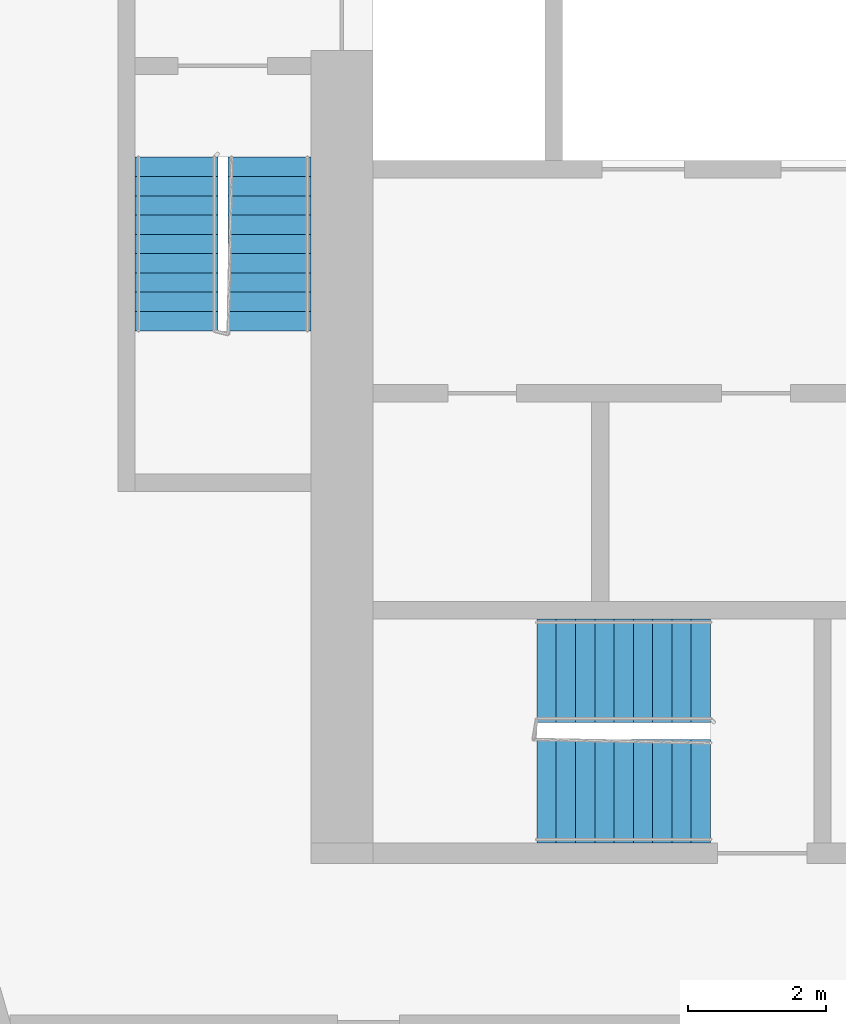
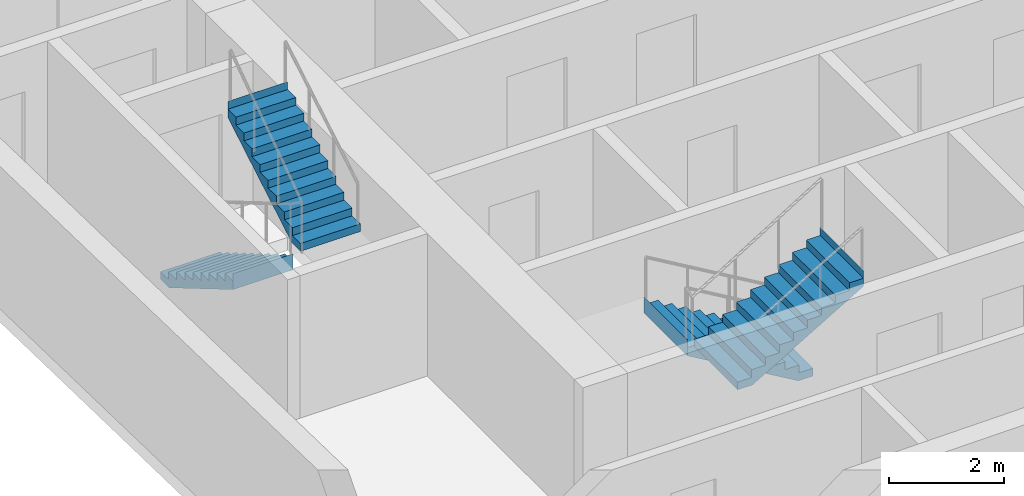
# One storey, part 8 of 11: 4 stair flights, 2 elements without a shape of their own.
"""IFC4 building model written with IfcOpenShell, lengths in metres."""

from ifc_helpers import new_model, si_unit, direction, frame, origin, place, context, subcontext, project, spatial, faceted_brep, material, type_object, element, aggregate, save


model = new_model("IFC4")

# Units and contexts
model_context = context("Model", 3, precision=1e-05, world=origin(), true_north=direction((0.0, 1.0)))
body_context = subcontext(model_context, "Body", "Model", "MODEL_VIEW")
ifc_project = project(units=[si_unit("LENGTHUNIT", "METRE"), si_unit("AREAUNIT", "SQUARE_METRE"), si_unit("VOLUMEUNIT", "CUBIC_METRE"), si_unit("PLANEANGLEUNIT", "RADIAN"), si_unit("MASSUNIT", "GRAM", prefix="KILO")], contexts=[model_context])

# Site, building, storey
site_placement = place(None, origin())
site = spatial("IfcSite", under=ifc_project, at=site_placement, CompositionType="ELEMENT")
building_placement = place(site_placement, origin())
building = spatial("IfcBuilding", under=site, at=building_placement, Name="Kajstack Hotel Tower", CompositionType="ELEMENT")
storey_placement = place(building_placement, frame((0.0, 0.0, 244.10009765625)))
storey = spatial("IfcBuildingStorey", under=building, at=storey_placement, Name="L60", CompositionType="ELEMENT", Elevation=244.10009765625)

# Stair, stair flights
ifc_material = material(Name="Concrete C40/50", Category="concrete")
stair_type_1 = type_object("IfcStairType", Name="Exit stair 1200", PredefinedType="HALF_TURN_STAIR", material=ifc_material)
stair_1_placement = place(storey_placement, origin())
stair_1 = element("IfcStair", 1, at=stair_1_placement, inside=storey, type_object=stair_type_1, Name="L60 stair W1", PredefinedType="HALF_TURN_STAIR")
stair_flight_type_1 = type_object("IfcStairFlightType", Name="Exit stair flight 1200", PredefinedType="STRAIGHT", material=ifc_material)
stair_flight_1_placement = place(storey_placement, frame((-33.449951171875, -5.25, 0.0), z_axis=(0.0, 0.0, 1.0), x_axis=(0.0, -1.0, 0.0)))
stair_flight_1 = element("IfcStairFlight", 2, at=stair_flight_1_placement, type_object=stair_flight_type_1, Name="W1 flight 1", NumberOfRisers=10, NumberOfTreads=9, PredefinedType="STRAIGHT", RiserHeight=0.165, TreadLength=0.28, context=body_context, shape_type="Brep", body=[
    faceted_brep([(0.295654296875, -0.60009765625, 0.0), (2.5205078125, -0.60009765625, 1.31103515625), (2.5205078125, -0.60009765625, 1.64990234375), (2.52001953125, -0.60009765625, 1.64990234375), (2.52001953125, -0.60009765625, 1.485107421875), (2.239990234375, -0.60009765625, 1.485107421875), (2.239990234375, -0.60009765625, 1.320068359375), (1.9599609375, -0.60009765625, 1.320068359375), (1.9599609375, -0.60009765625, 1.155029296875), (1.679931640625, -0.60009765625, 1.155029296875), (1.679931640625, -0.60009765625, 0.989990234375), (1.39990234375, -0.60009765625, 0.989990234375), (1.39990234375, -0.60009765625, 0.824951171875), (1.1201171875, -0.60009765625, 0.824951171875), (1.1201171875, -0.60009765625, 0.659912109375), (0.840087890625, -0.60009765625, 0.659912109375), (0.840087890625, -0.60009765625, 0.4951171875), (0.56005859375, -0.60009765625, 0.4951171875), (0.56005859375, -0.60009765625, 0.330078125), (0.280029296875, -0.60009765625, 0.330078125), (0.280029296875, -0.60009765625, 0.1650390625), (-0.00048828125, -0.60009765625, 0.1650390625), (-0.00048828125, -0.60009765625, 0.0), (-0.00048828125, 0.60009765625, 0.0), (-0.00048828125, 0.60009765625, 0.1650390625), (0.280029296875, 0.60009765625, 0.1650390625), (0.280029296875, 0.60009765625, 0.330078125), (0.56005859375, 0.60009765625, 0.330078125), (0.56005859375, 0.60009765625, 0.4951171875), (0.840087890625, 0.60009765625, 0.4951171875), (0.840087890625, 0.60009765625, 0.659912109375), (1.1201171875, 0.60009765625, 0.659912109375), (1.1201171875, 0.60009765625, 0.824951171875), (1.39990234375, 0.60009765625, 0.824951171875), (1.39990234375, 0.60009765625, 0.989990234375), (1.679931640625, 0.60009765625, 0.989990234375), (1.679931640625, 0.60009765625, 1.155029296875), (1.9599609375, 0.60009765625, 1.155029296875), (1.9599609375, 0.60009765625, 1.320068359375), (2.239990234375, 0.60009765625, 1.320068359375), (2.239990234375, 0.60009765625, 1.485107421875), (2.52001953125, 0.60009765625, 1.485107421875), (2.52001953125, 0.60009765625, 1.64990234375), (2.5205078125, 0.60009765625, 1.64990234375), (2.5205078125, 0.60009765625, 1.31103515625), (0.295654296875, 0.60009765625, 0.0), (-0.00048828125, -0.300048828125, 0.1650390625), (-0.00048828125, 0.0, 0.1650390625), (-0.00048828125, 0.300048828125, 0.1650390625), (-0.00048828125, 0.300048828125, 0.0), (-0.00048828125, 0.0, 0.0), (-0.00048828125, -0.300048828125, 0.0), (0.280029296875, -0.300048828125, 0.1650390625), (0.280029296875, 0.0, 0.1650390625), (0.280029296875, 0.300048828125, 0.1650390625), (0.280029296875, -0.300048828125, 0.330078125), (0.280029296875, 0.0, 0.330078125), (0.280029296875, 0.300048828125, 0.330078125), (0.56005859375, -0.300048828125, 0.330078125), (0.56005859375, 0.0, 0.330078125), (0.56005859375, 0.300048828125, 0.330078125), (0.56005859375, -0.300048828125, 0.4951171875), (0.56005859375, 0.0, 0.4951171875), (0.56005859375, 0.300048828125, 0.4951171875), (0.840087890625, -0.300048828125, 0.4951171875), (0.840087890625, 0.0, 0.4951171875), (0.840087890625, 0.300048828125, 0.4951171875), (0.840087890625, -0.300048828125, 0.659912109375), (0.840087890625, 0.0, 0.659912109375), (0.840087890625, 0.300048828125, 0.659912109375), (1.1201171875, -0.300048828125, 0.659912109375), (1.1201171875, 0.0, 0.659912109375), (1.1201171875, 0.300048828125, 0.659912109375), (1.1201171875, -0.300048828125, 0.824951171875), (1.1201171875, 0.0, 0.824951171875), (1.1201171875, 0.300048828125, 0.824951171875), (1.39990234375, -0.300048828125, 0.824951171875), (1.39990234375, 0.0, 0.824951171875), (1.39990234375, 0.300048828125, 0.824951171875), (1.39990234375, -0.300048828125, 0.989990234375), (1.39990234375, 0.0, 0.989990234375), (1.39990234375, 0.300048828125, 0.989990234375), (1.679931640625, -0.300048828125, 0.989990234375), (1.679931640625, 0.0, 0.989990234375), (1.679931640625, 0.300048828125, 0.989990234375), (1.679931640625, -0.300048828125, 1.155029296875), (1.679931640625, 0.0, 1.155029296875), (1.679931640625, 0.300048828125, 1.155029296875), (1.9599609375, -0.300048828125, 1.155029296875), (1.9599609375, 0.0, 1.155029296875), (1.9599609375, 0.300048828125, 1.155029296875), (1.9599609375, -0.300048828125, 1.320068359375), (1.9599609375, 0.0, 1.320068359375), (1.9599609375, 0.300048828125, 1.320068359375), (2.239990234375, -0.300048828125, 1.320068359375), (2.239990234375, 0.0, 1.320068359375), (2.239990234375, 0.300048828125, 1.320068359375), (2.239990234375, -0.300048828125, 1.485107421875), (2.239990234375, 0.0, 1.485107421875), (2.239990234375, 0.300048828125, 1.485107421875), (2.52001953125, -0.300048828125, 1.485107421875), (2.52001953125, 0.0, 1.485107421875), (2.52001953125, 0.300048828125, 1.485107421875), (2.52001953125, -0.300048828125, 1.64990234375), (2.52001953125, 0.0, 1.64990234375), (2.52001953125, 0.300048828125, 1.64990234375), (2.5205078125, -0.300048828125, 1.64990234375), (2.5205078125, 0.0, 1.64990234375), (2.5205078125, 0.300048828125, 1.64990234375), (2.5205078125, -0.300048828125, 1.31103515625), (2.5205078125, 0.0, 1.31103515625), (2.5205078125, 0.300048828125, 1.31103515625), (0.295654296875, -0.300048828125, 0.0), (0.295654296875, 0.0, 0.0), (0.295654296875, 0.300048828125, 0.0)], [[[0, 1, 2, 3, 4, 5, 6, 7, 8, 9, 10, 11, 12, 13, 14, 15, 16, 17, 18, 19, 20, 21, 22]], [[23, 24, 25, 26, 27, 28, 29, 30, 31, 32, 33, 34, 35, 36, 37, 38, 39, 40, 41, 42, 43, 44, 45]], [[21, 46, 47, 48, 24, 23, 49, 50, 51, 22]], [[20, 52, 53, 54, 25, 24, 48, 47, 46, 21]], [[19, 55, 56, 57, 26, 25, 54, 53, 52, 20]], [[18, 58, 59, 60, 27, 26, 57, 56, 55, 19]], [[17, 61, 62, 63, 28, 27, 60, 59, 58, 18]], [[16, 64, 65, 66, 29, 28, 63, 62, 61, 17]], [[15, 67, 68, 69, 30, 29, 66, 65, 64, 16]], [[14, 70, 71, 72, 31, 30, 69, 68, 67, 15]], [[13, 73, 74, 75, 32, 31, 72, 71, 70, 14]], [[12, 76, 77, 78, 33, 32, 75, 74, 73, 13]], [[11, 79, 80, 81, 34, 33, 78, 77, 76, 12]], [[10, 82, 83, 84, 35, 34, 81, 80, 79, 11]], [[9, 85, 86, 87, 36, 35, 84, 83, 82, 10]], [[8, 88, 89, 90, 37, 36, 87, 86, 85, 9]], [[7, 91, 92, 93, 38, 37, 90, 89, 88, 8]], [[6, 94, 95, 96, 39, 38, 93, 92, 91, 7]], [[5, 97, 98, 99, 40, 39, 96, 95, 94, 6]], [[4, 100, 101, 102, 41, 40, 99, 98, 97, 5]], [[3, 103, 104, 105, 42, 41, 102, 101, 100, 4]], [[2, 106, 107, 108, 43, 42, 105, 104, 103, 3]], [[1, 109, 110, 111, 44, 43, 108, 107, 106, 2]], [[0, 112, 113, 114, 45, 44, 111, 110, 109, 1]], [[22, 51, 50, 49, 23, 45, 114, 113, 112, 0]]]),
])
stair_flight_2_placement = place(storey_placement, frame((-32.10009765625, -7.77001953125, 1.64990234375), z_axis=(0.0, 0.0, 1.0), x_axis=(0.0, 1.0, 0.0)))
stair_flight_2 = element("IfcStairFlight", 3, at=stair_flight_2_placement, type_object=stair_flight_type_1, Name="W1 flight 2", NumberOfRisers=10, NumberOfTreads=9, PredefinedType="STRAIGHT", RiserHeight=0.165, TreadLength=0.28, context=body_context, shape_type="Brep", body=[
    faceted_brep([(0.295654296875, -0.60009765625, 0.0), (2.5205078125, -0.60009765625, 1.31103515625), (2.5205078125, -0.60009765625, 1.64990234375), (2.52001953125, -0.60009765625, 1.64990234375), (2.52001953125, -0.60009765625, 1.485107421875), (2.239990234375, -0.60009765625, 1.485107421875), (2.239990234375, -0.60009765625, 1.320068359375), (1.9599609375, -0.60009765625, 1.320068359375), (1.9599609375, -0.60009765625, 1.155029296875), (1.679931640625, -0.60009765625, 1.155029296875), (1.679931640625, -0.60009765625, 0.989990234375), (1.39990234375, -0.60009765625, 0.989990234375), (1.39990234375, -0.60009765625, 0.824951171875), (1.1201171875, -0.60009765625, 0.824951171875), (1.1201171875, -0.60009765625, 0.659912109375), (0.840087890625, -0.60009765625, 0.659912109375), (0.840087890625, -0.60009765625, 0.4951171875), (0.56005859375, -0.60009765625, 0.4951171875), (0.56005859375, -0.60009765625, 0.330078125), (0.280029296875, -0.60009765625, 0.330078125), (0.280029296875, -0.60009765625, 0.1650390625), (-0.00048828125, -0.60009765625, 0.1650390625), (-0.00048828125, -0.60009765625, 0.0), (-0.00048828125, 0.60009765625, 0.0), (-0.00048828125, 0.60009765625, 0.1650390625), (0.280029296875, 0.60009765625, 0.1650390625), (0.280029296875, 0.60009765625, 0.330078125), (0.56005859375, 0.60009765625, 0.330078125), (0.56005859375, 0.60009765625, 0.4951171875), (0.840087890625, 0.60009765625, 0.4951171875), (0.840087890625, 0.60009765625, 0.659912109375), (1.1201171875, 0.60009765625, 0.659912109375), (1.1201171875, 0.60009765625, 0.824951171875), (1.39990234375, 0.60009765625, 0.824951171875), (1.39990234375, 0.60009765625, 0.989990234375), (1.679931640625, 0.60009765625, 0.989990234375), (1.679931640625, 0.60009765625, 1.155029296875), (1.9599609375, 0.60009765625, 1.155029296875), (1.9599609375, 0.60009765625, 1.320068359375), (2.239990234375, 0.60009765625, 1.320068359375), (2.239990234375, 0.60009765625, 1.485107421875), (2.52001953125, 0.60009765625, 1.485107421875), (2.52001953125, 0.60009765625, 1.64990234375), (2.5205078125, 0.60009765625, 1.64990234375), (2.5205078125, 0.60009765625, 1.31103515625), (0.295654296875, 0.60009765625, 0.0), (-0.00048828125, -0.300048828125, 0.1650390625), (-0.00048828125, 0.0, 0.1650390625), (-0.00048828125, 0.300048828125, 0.1650390625), (-0.00048828125, 0.300048828125, 0.0), (-0.00048828125, 0.0, 0.0), (-0.00048828125, -0.300048828125, 0.0), (0.280029296875, -0.300048828125, 0.1650390625), (0.280029296875, 0.0, 0.1650390625), (0.280029296875, 0.300048828125, 0.1650390625), (0.280029296875, -0.300048828125, 0.330078125), (0.280029296875, 0.0, 0.330078125), (0.280029296875, 0.300048828125, 0.330078125), (0.56005859375, -0.300048828125, 0.330078125), (0.56005859375, 0.0, 0.330078125), (0.56005859375, 0.300048828125, 0.330078125), (0.56005859375, -0.300048828125, 0.4951171875), (0.56005859375, 0.0, 0.4951171875), (0.56005859375, 0.300048828125, 0.4951171875), (0.840087890625, -0.300048828125, 0.4951171875), (0.840087890625, 0.0, 0.4951171875), (0.840087890625, 0.300048828125, 0.4951171875), (0.840087890625, -0.300048828125, 0.659912109375), (0.840087890625, 0.0, 0.659912109375), (0.840087890625, 0.300048828125, 0.659912109375), (1.1201171875, -0.300048828125, 0.659912109375), (1.1201171875, 0.0, 0.659912109375), (1.1201171875, 0.300048828125, 0.659912109375), (1.1201171875, -0.300048828125, 0.824951171875), (1.1201171875, 0.0, 0.824951171875), (1.1201171875, 0.300048828125, 0.824951171875), (1.39990234375, -0.300048828125, 0.824951171875), (1.39990234375, 0.0, 0.824951171875), (1.39990234375, 0.300048828125, 0.824951171875), (1.39990234375, -0.300048828125, 0.989990234375), (1.39990234375, 0.0, 0.989990234375), (1.39990234375, 0.300048828125, 0.989990234375), (1.679931640625, -0.300048828125, 0.989990234375), (1.679931640625, 0.0, 0.989990234375), (1.679931640625, 0.300048828125, 0.989990234375), (1.679931640625, -0.300048828125, 1.155029296875), (1.679931640625, 0.0, 1.155029296875), (1.679931640625, 0.300048828125, 1.155029296875), (1.9599609375, -0.300048828125, 1.155029296875), (1.9599609375, 0.0, 1.155029296875), (1.9599609375, 0.300048828125, 1.155029296875), (1.9599609375, -0.300048828125, 1.320068359375), (1.9599609375, 0.0, 1.320068359375), (1.9599609375, 0.300048828125, 1.320068359375), (2.239990234375, -0.300048828125, 1.320068359375), (2.239990234375, 0.0, 1.320068359375), (2.239990234375, 0.300048828125, 1.320068359375), (2.239990234375, -0.300048828125, 1.485107421875), (2.239990234375, 0.0, 1.485107421875), (2.239990234375, 0.300048828125, 1.485107421875), (2.52001953125, -0.300048828125, 1.485107421875), (2.52001953125, 0.0, 1.485107421875), (2.52001953125, 0.300048828125, 1.485107421875), (2.52001953125, -0.300048828125, 1.64990234375), (2.52001953125, 0.0, 1.64990234375), (2.52001953125, 0.300048828125, 1.64990234375), (2.5205078125, -0.300048828125, 1.64990234375), (2.5205078125, 0.0, 1.64990234375), (2.5205078125, 0.300048828125, 1.64990234375), (2.5205078125, -0.300048828125, 1.31103515625), (2.5205078125, 0.0, 1.31103515625), (2.5205078125, 0.300048828125, 1.31103515625), (0.295654296875, -0.300048828125, 0.0), (0.295654296875, 0.0, 0.0), (0.295654296875, 0.300048828125, 0.0)], [[[0, 1, 2, 3, 4, 5, 6, 7, 8, 9, 10, 11, 12, 13, 14, 15, 16, 17, 18, 19, 20, 21, 22]], [[23, 24, 25, 26, 27, 28, 29, 30, 31, 32, 33, 34, 35, 36, 37, 38, 39, 40, 41, 42, 43, 44, 45]], [[21, 46, 47, 48, 24, 23, 49, 50, 51, 22]], [[20, 52, 53, 54, 25, 24, 48, 47, 46, 21]], [[19, 55, 56, 57, 26, 25, 54, 53, 52, 20]], [[18, 58, 59, 60, 27, 26, 57, 56, 55, 19]], [[17, 61, 62, 63, 28, 27, 60, 59, 58, 18]], [[16, 64, 65, 66, 29, 28, 63, 62, 61, 17]], [[15, 67, 68, 69, 30, 29, 66, 65, 64, 16]], [[14, 70, 71, 72, 31, 30, 69, 68, 67, 15]], [[13, 73, 74, 75, 32, 31, 72, 71, 70, 14]], [[12, 76, 77, 78, 33, 32, 75, 74, 73, 13]], [[11, 79, 80, 81, 34, 33, 78, 77, 76, 12]], [[10, 82, 83, 84, 35, 34, 81, 80, 79, 11]], [[9, 85, 86, 87, 36, 35, 84, 83, 82, 10]], [[8, 88, 89, 90, 37, 36, 87, 86, 85, 9]], [[7, 91, 92, 93, 38, 37, 90, 89, 88, 8]], [[6, 94, 95, 96, 39, 38, 93, 92, 91, 7]], [[5, 97, 98, 99, 40, 39, 96, 95, 94, 6]], [[4, 100, 101, 102, 41, 40, 99, 98, 97, 5]], [[3, 103, 104, 105, 42, 41, 102, 101, 100, 4]], [[2, 106, 107, 108, 43, 42, 105, 104, 103, 3]], [[1, 109, 110, 111, 44, 43, 108, 107, 106, 2]], [[0, 112, 113, 114, 45, 44, 111, 110, 109, 1]], [[22, 51, 50, 49, 23, 45, 114, 113, 112, 0]]]),
])
aggregate(stair_1, [stair_flight_1, stair_flight_2])

stair_type_2 = type_object("IfcStairType", Name="Exit stair 1500", PredefinedType="HALF_TURN_STAIR", material=ifc_material)
stair_2_placement = place(storey_placement, origin())
stair_2 = element("IfcStair", 4, at=stair_2_placement, inside=storey, type_object=stair_type_2, Name="L60 stair W3", PredefinedType="HALF_TURN_STAIR")
stair_flight_type_2 = type_object("IfcStairFlightType", Name="Exit stair flight 1500", PredefinedType="STRAIGHT", material=ifc_material)
stair_flight_3_placement = place(storey_placement, frame((-25.699951171875, -12.699951171875, 0.0), z_axis=(0.0, 0.0, 1.0), x_axis=(-1.0, 0.0, 0.0)))
stair_flight_3 = element("IfcStairFlight", 5, at=stair_flight_3_placement, type_object=stair_flight_type_2, Name="W3 flight 1", NumberOfRisers=10, NumberOfTreads=9, PredefinedType="STRAIGHT", RiserHeight=0.165, TreadLength=0.28, context=body_context, shape_type="Brep", body=[
    faceted_brep([(0.295654296875, -0.75, 0.0), (2.5205078125, -0.75, 1.31103515625), (2.5205078125, -0.75, 1.64990234375), (2.52001953125, -0.75, 1.64990234375), (2.52001953125, -0.75, 1.485107421875), (2.239990234375, -0.75, 1.485107421875), (2.239990234375, -0.75, 1.320068359375), (1.9599609375, -0.75, 1.320068359375), (1.9599609375, -0.75, 1.155029296875), (1.679931640625, -0.75, 1.155029296875), (1.679931640625, -0.75, 0.989990234375), (1.39990234375, -0.75, 0.989990234375), (1.39990234375, -0.75, 0.824951171875), (1.1201171875, -0.75, 0.824951171875), (1.1201171875, -0.75, 0.659912109375), (0.840087890625, -0.75, 0.659912109375), (0.840087890625, -0.75, 0.4951171875), (0.56005859375, -0.75, 0.4951171875), (0.56005859375, -0.75, 0.330078125), (0.280029296875, -0.75, 0.330078125), (0.280029296875, -0.75, 0.1650390625), (-0.00048828125, -0.75, 0.1650390625), (-0.00048828125, -0.75, 0.0), (-0.00048828125, 0.75, 0.0), (-0.00048828125, 0.75, 0.1650390625), (0.280029296875, 0.75, 0.1650390625), (0.280029296875, 0.75, 0.330078125), (0.56005859375, 0.75, 0.330078125), (0.56005859375, 0.75, 0.4951171875), (0.840087890625, 0.75, 0.4951171875), (0.840087890625, 0.75, 0.659912109375), (1.1201171875, 0.75, 0.659912109375), (1.1201171875, 0.75, 0.824951171875), (1.39990234375, 0.75, 0.824951171875), (1.39990234375, 0.75, 0.989990234375), (1.679931640625, 0.75, 0.989990234375), (1.679931640625, 0.75, 1.155029296875), (1.9599609375, 0.75, 1.155029296875), (1.9599609375, 0.75, 1.320068359375), (2.239990234375, 0.75, 1.320068359375), (2.239990234375, 0.75, 1.485107421875), (2.52001953125, 0.75, 1.485107421875), (2.52001953125, 0.75, 1.64990234375), (2.5205078125, 0.75, 1.64990234375), (2.5205078125, 0.75, 1.31103515625), (0.295654296875, 0.75, 0.0), (-0.00048828125, -0.375, 0.1650390625), (-0.00048828125, 0.0, 0.1650390625), (-0.00048828125, 0.375, 0.1650390625), (-0.00048828125, 0.375, 0.0), (-0.00048828125, 0.0, 0.0), (-0.00048828125, -0.375, 0.0), (0.280029296875, -0.375, 0.1650390625), (0.280029296875, 0.0, 0.1650390625), (0.280029296875, 0.375, 0.1650390625), (0.280029296875, -0.375, 0.330078125), (0.280029296875, 0.0, 0.330078125), (0.280029296875, 0.375, 0.330078125), (0.56005859375, -0.375, 0.330078125), (0.56005859375, 0.0, 0.330078125), (0.56005859375, 0.375, 0.330078125), (0.56005859375, -0.375, 0.4951171875), (0.56005859375, 0.0, 0.4951171875), (0.56005859375, 0.375, 0.4951171875), (0.840087890625, -0.375, 0.4951171875), (0.840087890625, 0.0, 0.4951171875), (0.840087890625, 0.375, 0.4951171875), (0.840087890625, -0.375, 0.659912109375), (0.840087890625, 0.0, 0.659912109375), (0.840087890625, 0.375, 0.659912109375), (1.1201171875, -0.375, 0.659912109375), (1.1201171875, 0.0, 0.659912109375), (1.1201171875, 0.375, 0.659912109375), (1.1201171875, -0.375, 0.824951171875), (1.1201171875, 0.0, 0.824951171875), (1.1201171875, 0.375, 0.824951171875), (1.39990234375, -0.375, 0.824951171875), (1.39990234375, 0.0, 0.824951171875), (1.39990234375, 0.375, 0.824951171875), (1.39990234375, -0.375, 0.989990234375), (1.39990234375, 0.0, 0.989990234375), (1.39990234375, 0.375, 0.989990234375), (1.679931640625, -0.375, 0.989990234375), (1.679931640625, 0.0, 0.989990234375), (1.679931640625, 0.375, 0.989990234375), (1.679931640625, -0.375, 1.155029296875), (1.679931640625, 0.0, 1.155029296875), (1.679931640625, 0.375, 1.155029296875), (1.9599609375, -0.375, 1.155029296875), (1.9599609375, 0.0, 1.155029296875), (1.9599609375, 0.375, 1.155029296875), (1.9599609375, -0.375, 1.320068359375), (1.9599609375, 0.0, 1.320068359375), (1.9599609375, 0.375, 1.320068359375), (2.239990234375, -0.375, 1.320068359375), (2.239990234375, 0.0, 1.320068359375), (2.239990234375, 0.375, 1.320068359375), (2.239990234375, -0.375, 1.485107421875), (2.239990234375, 0.0, 1.485107421875), (2.239990234375, 0.375, 1.485107421875), (2.52001953125, -0.375, 1.485107421875), (2.52001953125, 0.0, 1.485107421875), (2.52001953125, 0.375, 1.485107421875), (2.52001953125, -0.375, 1.64990234375), (2.52001953125, 0.0, 1.64990234375), (2.52001953125, 0.375, 1.64990234375), (2.5205078125, -0.375, 1.64990234375), (2.5205078125, 0.0, 1.64990234375), (2.5205078125, 0.375, 1.64990234375), (2.5205078125, -0.375, 1.31103515625), (2.5205078125, 0.0, 1.31103515625), (2.5205078125, 0.375, 1.31103515625), (0.295654296875, -0.375, 0.0), (0.295654296875, 0.0, 0.0), (0.295654296875, 0.375, 0.0)], [[[0, 1, 2, 3, 4, 5, 6, 7, 8, 9, 10, 11, 12, 13, 14, 15, 16, 17, 18, 19, 20, 21, 22]], [[23, 24, 25, 26, 27, 28, 29, 30, 31, 32, 33, 34, 35, 36, 37, 38, 39, 40, 41, 42, 43, 44, 45]], [[21, 46, 47, 48, 24, 23, 49, 50, 51, 22]], [[20, 52, 53, 54, 25, 24, 48, 47, 46, 21]], [[19, 55, 56, 57, 26, 25, 54, 53, 52, 20]], [[18, 58, 59, 60, 27, 26, 57, 56, 55, 19]], [[17, 61, 62, 63, 28, 27, 60, 59, 58, 18]], [[16, 64, 65, 66, 29, 28, 63, 62, 61, 17]], [[15, 67, 68, 69, 30, 29, 66, 65, 64, 16]], [[14, 70, 71, 72, 31, 30, 69, 68, 67, 15]], [[13, 73, 74, 75, 32, 31, 72, 71, 70, 14]], [[12, 76, 77, 78, 33, 32, 75, 74, 73, 13]], [[11, 79, 80, 81, 34, 33, 78, 77, 76, 12]], [[10, 82, 83, 84, 35, 34, 81, 80, 79, 11]], [[9, 85, 86, 87, 36, 35, 84, 83, 82, 10]], [[8, 88, 89, 90, 37, 36, 87, 86, 85, 9]], [[7, 91, 92, 93, 38, 37, 90, 89, 88, 8]], [[6, 94, 95, 96, 39, 38, 93, 92, 91, 7]], [[5, 97, 98, 99, 40, 39, 96, 95, 94, 6]], [[4, 100, 101, 102, 41, 40, 99, 98, 97, 5]], [[3, 103, 104, 105, 42, 41, 102, 101, 100, 4]], [[2, 106, 107, 108, 43, 42, 105, 104, 103, 3]], [[1, 109, 110, 111, 44, 43, 108, 107, 106, 2]], [[0, 112, 113, 114, 45, 44, 111, 110, 109, 1]], [[22, 51, 50, 49, 23, 45, 114, 113, 112, 0]]]),
])
stair_flight_4_placement = place(storey_placement, frame((-28.219970703125, -14.449951171875, 1.64990234375), z_axis=(0.0, 0.0, 1.0), x_axis=(1.0, 0.0, 0.0)))
stair_flight_4 = element("IfcStairFlight", 6, at=stair_flight_4_placement, type_object=stair_flight_type_2, Name="W3 flight 2", NumberOfRisers=10, NumberOfTreads=9, PredefinedType="STRAIGHT", RiserHeight=0.165, TreadLength=0.28, context=body_context, shape_type="Brep", body=[
    faceted_brep([(0.295654296875, -0.75, 0.0), (2.5205078125, -0.75, 1.31103515625), (2.5205078125, -0.75, 1.64990234375), (2.52001953125, -0.75, 1.64990234375), (2.52001953125, -0.75, 1.485107421875), (2.239990234375, -0.75, 1.485107421875), (2.239990234375, -0.75, 1.320068359375), (1.9599609375, -0.75, 1.320068359375), (1.9599609375, -0.75, 1.155029296875), (1.679931640625, -0.75, 1.155029296875), (1.679931640625, -0.75, 0.989990234375), (1.39990234375, -0.75, 0.989990234375), (1.39990234375, -0.75, 0.824951171875), (1.1201171875, -0.75, 0.824951171875), (1.1201171875, -0.75, 0.659912109375), (0.840087890625, -0.75, 0.659912109375), (0.840087890625, -0.75, 0.4951171875), (0.56005859375, -0.75, 0.4951171875), (0.56005859375, -0.75, 0.330078125), (0.280029296875, -0.75, 0.330078125), (0.280029296875, -0.75, 0.1650390625), (-0.00048828125, -0.75, 0.1650390625), (-0.00048828125, -0.75, 0.0), (-0.00048828125, 0.75, 0.0), (-0.00048828125, 0.75, 0.1650390625), (0.280029296875, 0.75, 0.1650390625), (0.280029296875, 0.75, 0.330078125), (0.56005859375, 0.75, 0.330078125), (0.56005859375, 0.75, 0.4951171875), (0.840087890625, 0.75, 0.4951171875), (0.840087890625, 0.75, 0.659912109375), (1.1201171875, 0.75, 0.659912109375), (1.1201171875, 0.75, 0.824951171875), (1.39990234375, 0.75, 0.824951171875), (1.39990234375, 0.75, 0.989990234375), (1.679931640625, 0.75, 0.989990234375), (1.679931640625, 0.75, 1.155029296875), (1.9599609375, 0.75, 1.155029296875), (1.9599609375, 0.75, 1.320068359375), (2.239990234375, 0.75, 1.320068359375), (2.239990234375, 0.75, 1.485107421875), (2.52001953125, 0.75, 1.485107421875), (2.52001953125, 0.75, 1.64990234375), (2.5205078125, 0.75, 1.64990234375), (2.5205078125, 0.75, 1.31103515625), (0.295654296875, 0.75, 0.0), (-0.00048828125, -0.375, 0.1650390625), (-0.00048828125, 0.0, 0.1650390625), (-0.00048828125, 0.375, 0.1650390625), (-0.00048828125, 0.375, 0.0), (-0.00048828125, 0.0, 0.0), (-0.00048828125, -0.375, 0.0), (0.280029296875, -0.375, 0.1650390625), (0.280029296875, 0.0, 0.1650390625), (0.280029296875, 0.375, 0.1650390625), (0.280029296875, -0.375, 0.330078125), (0.280029296875, 0.0, 0.330078125), (0.280029296875, 0.375, 0.330078125), (0.56005859375, -0.375, 0.330078125), (0.56005859375, 0.0, 0.330078125), (0.56005859375, 0.375, 0.330078125), (0.56005859375, -0.375, 0.4951171875), (0.56005859375, 0.0, 0.4951171875), (0.56005859375, 0.375, 0.4951171875), (0.840087890625, -0.375, 0.4951171875), (0.840087890625, 0.0, 0.4951171875), (0.840087890625, 0.375, 0.4951171875), (0.840087890625, -0.375, 0.659912109375), (0.840087890625, 0.0, 0.659912109375), (0.840087890625, 0.375, 0.659912109375), (1.1201171875, -0.375, 0.659912109375), (1.1201171875, 0.0, 0.659912109375), (1.1201171875, 0.375, 0.659912109375), (1.1201171875, -0.375, 0.824951171875), (1.1201171875, 0.0, 0.824951171875), (1.1201171875, 0.375, 0.824951171875), (1.39990234375, -0.375, 0.824951171875), (1.39990234375, 0.0, 0.824951171875), (1.39990234375, 0.375, 0.824951171875), (1.39990234375, -0.375, 0.989990234375), (1.39990234375, 0.0, 0.989990234375), (1.39990234375, 0.375, 0.989990234375), (1.679931640625, -0.375, 0.989990234375), (1.679931640625, 0.0, 0.989990234375), (1.679931640625, 0.375, 0.989990234375), (1.679931640625, -0.375, 1.155029296875), (1.679931640625, 0.0, 1.155029296875), (1.679931640625, 0.375, 1.155029296875), (1.9599609375, -0.375, 1.155029296875), (1.9599609375, 0.0, 1.155029296875), (1.9599609375, 0.375, 1.155029296875), (1.9599609375, -0.375, 1.320068359375), (1.9599609375, 0.0, 1.320068359375), (1.9599609375, 0.375, 1.320068359375), (2.239990234375, -0.375, 1.320068359375), (2.239990234375, 0.0, 1.320068359375), (2.239990234375, 0.375, 1.320068359375), (2.239990234375, -0.375, 1.485107421875), (2.239990234375, 0.0, 1.485107421875), (2.239990234375, 0.375, 1.485107421875), (2.52001953125, -0.375, 1.485107421875), (2.52001953125, 0.0, 1.485107421875), (2.52001953125, 0.375, 1.485107421875), (2.52001953125, -0.375, 1.64990234375), (2.52001953125, 0.0, 1.64990234375), (2.52001953125, 0.375, 1.64990234375), (2.5205078125, -0.375, 1.64990234375), (2.5205078125, 0.0, 1.64990234375), (2.5205078125, 0.375, 1.64990234375), (2.5205078125, -0.375, 1.31103515625), (2.5205078125, 0.0, 1.31103515625), (2.5205078125, 0.375, 1.31103515625), (0.295654296875, -0.375, 0.0), (0.295654296875, 0.0, 0.0), (0.295654296875, 0.375, 0.0)], [[[0, 1, 2, 3, 4, 5, 6, 7, 8, 9, 10, 11, 12, 13, 14, 15, 16, 17, 18, 19, 20, 21, 22]], [[23, 24, 25, 26, 27, 28, 29, 30, 31, 32, 33, 34, 35, 36, 37, 38, 39, 40, 41, 42, 43, 44, 45]], [[21, 46, 47, 48, 24, 23, 49, 50, 51, 22]], [[20, 52, 53, 54, 25, 24, 48, 47, 46, 21]], [[19, 55, 56, 57, 26, 25, 54, 53, 52, 20]], [[18, 58, 59, 60, 27, 26, 57, 56, 55, 19]], [[17, 61, 62, 63, 28, 27, 60, 59, 58, 18]], [[16, 64, 65, 66, 29, 28, 63, 62, 61, 17]], [[15, 67, 68, 69, 30, 29, 66, 65, 64, 16]], [[14, 70, 71, 72, 31, 30, 69, 68, 67, 15]], [[13, 73, 74, 75, 32, 31, 72, 71, 70, 14]], [[12, 76, 77, 78, 33, 32, 75, 74, 73, 13]], [[11, 79, 80, 81, 34, 33, 78, 77, 76, 12]], [[10, 82, 83, 84, 35, 34, 81, 80, 79, 11]], [[9, 85, 86, 87, 36, 35, 84, 83, 82, 10]], [[8, 88, 89, 90, 37, 36, 87, 86, 85, 9]], [[7, 91, 92, 93, 38, 37, 90, 89, 88, 8]], [[6, 94, 95, 96, 39, 38, 93, 92, 91, 7]], [[5, 97, 98, 99, 40, 39, 96, 95, 94, 6]], [[4, 100, 101, 102, 41, 40, 99, 98, 97, 5]], [[3, 103, 104, 105, 42, 41, 102, 101, 100, 4]], [[2, 106, 107, 108, 43, 42, 105, 104, 103, 3]], [[1, 109, 110, 111, 44, 43, 108, 107, 106, 2]], [[0, 112, 113, 114, 45, 44, 111, 110, 109, 1]], [[22, 51, 50, 49, 23, 45, 114, 113, 112, 0]]]),
])
aggregate(stair_2, [stair_flight_3, stair_flight_4])

save(model, "model.ifc")
